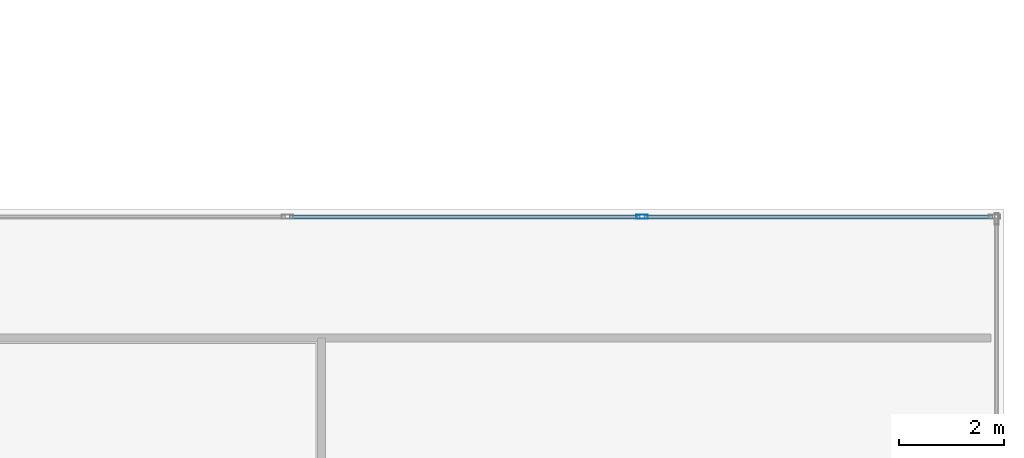
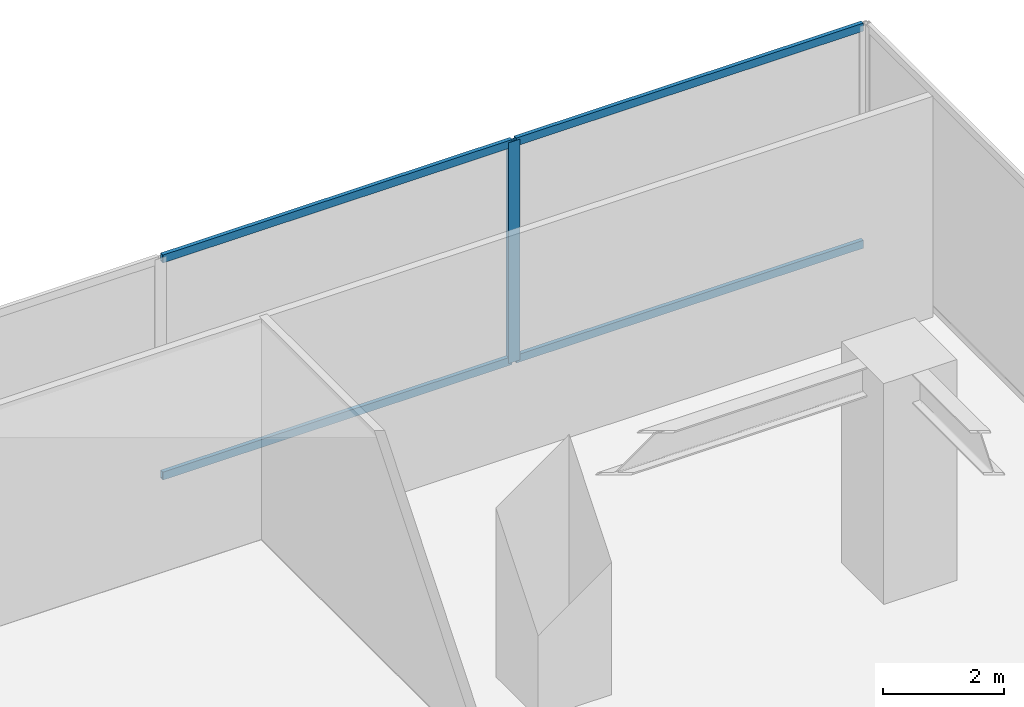
# One storey, part 6 of 16: 5 members, 1 element without a shape of its own.
"""IFC4 building model written with IfcOpenShell, lengths in metres."""

from ifc_helpers import new_model, si_unit, direction, frame, origin, origin_with_axes, origin_2d, place, context, subcontext, project, spatial, hollow_rectangle, extrude, source, transform, mapped, material, layer, layer_set, material_profile, profile_set, type_object, element, aggregate, save


model = new_model("IFC4")

# Units and contexts
model_context = context("Model", 3, precision=1e-05, world=origin(), true_north=direction((0.0, 1.0)))
body_context = subcontext(model_context, "Body", "Model", "MODEL_VIEW")
ifc_project = project(units=[si_unit("LENGTHUNIT", "METRE"), si_unit("AREAUNIT", "SQUARE_METRE"), si_unit("VOLUMEUNIT", "CUBIC_METRE"), si_unit("PLANEANGLEUNIT", "RADIAN"), si_unit("MASSUNIT", "GRAM", prefix="KILO")], contexts=[model_context])

# Site, building, storey
site_placement = place(None, origin())
site = spatial("IfcSite", under=ifc_project, at=site_placement, CompositionType="ELEMENT")
building_placement = place(site_placement, origin())
building = spatial("IfcBuilding", under=site, at=building_placement, Name="Kolvaren Waterfront Exchange", CompositionType="ELEMENT")
storey_placement = place(building_placement, frame((0.0, 0.0, 20.0)))
storey = spatial("IfcBuildingStorey", under=building, at=storey_placement, Name="L05", CompositionType="ELEMENT", Elevation=20.0)

# Curtain wall, members
ifc_material_1 = material(Name="Anodised bronze aluminium 6063-T6", Category="aluminium")
ifc_layer = layer(ifc_material_1, 0.219970703125, Name="Anodised bronze aluminium 6063-T6")
ifc_layer_set = layer_set([ifc_layer], Name="Anodised bronze aluminium 6063-T6")
curtain_wall_type = type_object("IfcCurtainWallType", Name="ARC-CW-SYS4", PredefinedType="USERDEFINED", material=ifc_layer_set)
curtain_wall_placement = place(storey_placement, origin())
curtain_wall = element("IfcCurtainWall", 1, at=curtain_wall_placement, inside=storey, type_object=curtain_wall_type, Name="L05 stick curtain wall CW4 (CW-L05-E2)", ObjectType="STICK CURTAIN WALL", PredefinedType="USERDEFINED")
ifc_material_2 = material(Name="Anodised aluminium 6063-T6", Category="aluminium")
ifc_material_profile_1 = material_profile(ifc_material_2, hollow_rectangle(XDim=0.080078125, YDim=0.219970703125, WallThickness=0.0048828125, at=origin_2d()), Name="ALU-MUL-220x80x5")
ifc_profile_set_1 = profile_set([ifc_material_profile_1], Name="Anodised aluminium 6063-T6")
member_type_1 = type_object("IfcMemberType", Name="ARC-CWM-220", PredefinedType="MULLION", material=ifc_profile_set_1)
shared_shape_1 = source(origin_with_axes(), body_context, "Body", "SweptSolid", [
    extrude(hollow_rectangle(XDim=0.080078125, YDim=0.219970703125, WallThickness=0.0048828125, at=origin_2d()), origin(), (0.0, 0.0, 1.0), 4.4599609375),
])
member_1_placement = place(storey_placement, frame((57.907470703125, 39.06005859375, 0.0), z_axis=(0.0, 0.0, 1.0), x_axis=(0.0, -1.0, 0.0)))
member_1 = element("IfcMember", 2, at=member_1_placement, type_object=member_type_1, Name="CW4 mullion 2", PredefinedType="MULLION", context=body_context, shape_type="MappedRepresentation", body=[
    mapped(shared_shape_1, transform((0.0, 0.0, 0.0), x_axis=(1.0, 0.0, 0.0), y_axis=(0.0, 1.0, 0.0), z_axis=(0.0, 0.0, 1.0), scale=1.0)),
])
ifc_material_profile_2 = material_profile(ifc_material_2, hollow_rectangle(XDim=0.074951171875, YDim=0.159912109375, WallThickness=0.00439453125, at=origin_2d()), Name="ALU-TRN-160x75x4.5")
ifc_profile_set_2 = profile_set([ifc_material_profile_2], Name="Anodised aluminium 6063-T6")
member_type_2 = type_object("IfcMemberType", Name="ARC-CWT-160", PredefinedType="USERDEFINED", material=ifc_profile_set_2)
shared_shape_2 = source(origin_with_axes(), body_context, "Body", "SweptSolid", [
    extrude(hollow_rectangle(XDim=0.074951171875, YDim=0.159912109375, WallThickness=0.00439453125, at=origin_2d()), origin(), (0.0, 0.0, 1.0), 6.632568359375),
])
member_2_placement = place(storey_placement, frame((64.580078125, 39.06005859375, 0.03759765625), z_axis=(-1.0, 0.0, 0.0), x_axis=(0.0, -1.0, 0.0)))
member_2 = element("IfcMember", 3, at=member_2_placement, type_object=member_type_2, Name="CW4 transom 1.1", ObjectType="TRANSOM", PredefinedType="USERDEFINED", context=body_context, shape_type="MappedRepresentation", body=[
    mapped(shared_shape_2, transform((0.0, 0.0, 0.0), x_axis=(1.0, 0.0, 0.0), y_axis=(0.0, 1.0, 0.0), z_axis=(0.0, 0.0, 1.0), scale=1.0)),
])
member_3_placement = place(storey_placement, frame((64.580078125, 39.06005859375, 4.422607421875), z_axis=(-1.0, 0.0, 0.0), x_axis=(0.0, -1.0, 0.0)))
member_3 = element("IfcMember", 4, at=member_3_placement, type_object=member_type_2, Name="CW4 transom 1.2", ObjectType="TRANSOM", PredefinedType="USERDEFINED", context=body_context, shape_type="MappedRepresentation", body=[
    mapped(shared_shape_2, transform((0.0, 0.0, 0.0), x_axis=(1.0, 0.0, 0.0), y_axis=(0.0, 1.0, 0.0), z_axis=(0.0, 0.0, 1.0), scale=1.0)),
])
shared_shape_3 = source(origin_with_axes(), body_context, "Body", "SweptSolid", [
    extrude(hollow_rectangle(XDim=0.074951171875, YDim=0.159912109375, WallThickness=0.00439453125, at=origin_2d()), origin(), (0.0, 0.0, 1.0), 6.67236328125),
])
member_4_placement = place(storey_placement, frame((57.867431640625, 39.06005859375, 0.03759765625), z_axis=(-1.0, 0.0, 0.0), x_axis=(0.0, -1.0, 0.0)))
member_4 = element("IfcMember", 5, at=member_4_placement, type_object=member_type_2, Name="CW4 transom 2.1", ObjectType="TRANSOM", PredefinedType="USERDEFINED", context=body_context, shape_type="MappedRepresentation", body=[
    mapped(shared_shape_3, transform((0.0, 0.0, 0.0), x_axis=(1.0, 0.0, 0.0), y_axis=(0.0, 1.0, 0.0), z_axis=(0.0, 0.0, 1.0), scale=1.0)),
])
member_5_placement = place(storey_placement, frame((57.867431640625, 39.06005859375, 4.422607421875), z_axis=(-1.0, 0.0, 0.0), x_axis=(0.0, -1.0, 0.0)))
member_5 = element("IfcMember", 6, at=member_5_placement, type_object=member_type_2, Name="CW4 transom 2.2", ObjectType="TRANSOM", PredefinedType="USERDEFINED", context=body_context, shape_type="MappedRepresentation", body=[
    mapped(shared_shape_3, transform((0.0, 0.0, 0.0), x_axis=(1.0, 0.0, 0.0), y_axis=(0.0, 1.0, 0.0), z_axis=(0.0, 0.0, 1.0), scale=1.0)),
])
aggregate(curtain_wall, [member_1, member_2, member_3, member_4, member_5])

save(model, "model.ifc")
